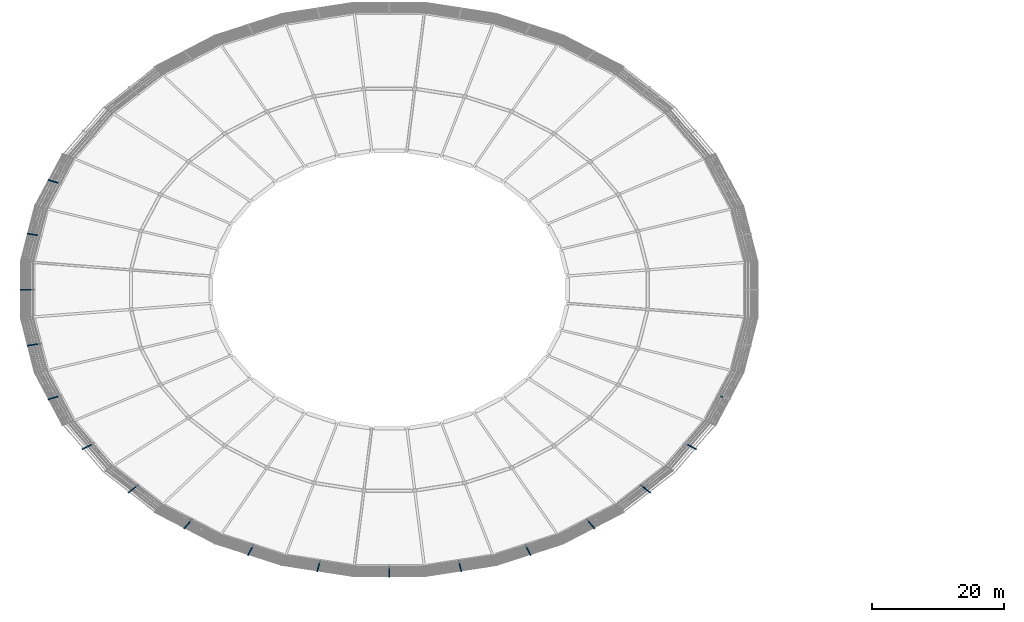
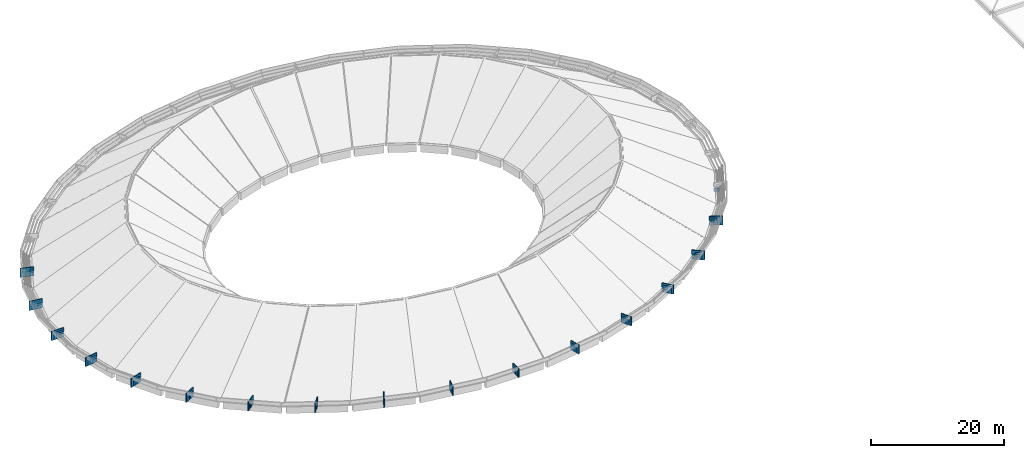
# One storey, part 10 of 15: 65 discrete accessories.
"""IFC4 building model written with IfcOpenShell, lengths in metres."""

import ifcopenshell
import ifcopenshell.guid

model = None  # the IFC model being written
_history = None  # IfcOwnerHistory: only IFC2X3 demands one
_inside = {}  # id of a spatial element -> (the spatial element, [elements in it])
_under = {}  # id of a project, library or spatial element -> (it, [spatial elements below it])
_declared = {}  # id of a project -> (the project, [libraries it declares])
_typed = {}  # id of a type object -> (the type object, [elements of that type])
_made_of = {}  # id of a material, layer set ... -> (it, [elements and type objects made of it])


def new_model(schema):
    """Start an empty IFC model of exactly this schema.

    Asked for "IFC4X3", IfcOpenShell would pick the latest addendum, in which some entities
    have other attributes; the version numbers below select the first issue.
    IFC2X3 requires an IfcOwnerHistory on every rooted entity: one is made here for all.
    """
    global model, _history
    if schema == "IFC4X3":
        model = ifcopenshell.file(schema_version=(4, 3, 0, 0))
    else:
        model = ifcopenshell.file(schema=schema)
    _inside.clear()
    _under.clear()
    _declared.clear()
    _typed.clear()
    _made_of.clear()
    _history = None
    if model.schema == "IFC2X3":
        org = make("IfcOrganization", Name="unknown")
        user = make(
            "IfcPersonAndOrganization",
            ThePerson=make("IfcPerson", FamilyName="unknown"),
            TheOrganization=org,
        )
        app = make(
            "IfcApplication",
            ApplicationDeveloper=org,
            Version="unknown",
            ApplicationFullName="unknown",
            ApplicationIdentifier="unknown",
        )
        _history = make(
            "IfcOwnerHistory",
            OwningUser=user,
            OwningApplication=app,
            ChangeAction="ADDED",
            CreationDate=0,
        )
    return model


def make(cls, **values):
    """One entity of the class cls with the attributes given. An attribute that is None is left unset."""
    return model.create_entity(
        cls, **{name: value for name, value in values.items() if value is not None}
    )


def rooted(cls, **values):
    """An entity with a GlobalId (a new one), such as an element, a storey or a relation."""
    return make(cls, GlobalId=ifcopenshell.guid.new(), OwnerHistory=_history, **values)


def si_unit(unit_type, name, prefix=None):
    """IfcSIUnit, for example si_unit("LENGTHUNIT", "METRE", prefix="MILLI")."""
    return make("IfcSIUnit", UnitType=unit_type, Prefix=prefix, Name=name)


def assignment(units):
    """IfcUnitAssignment: the units of a project."""
    return None if units is None else make("IfcUnitAssignment", Units=units)


def point(xyz):
    """IfcCartesianPoint."""
    return None if xyz is None else make("IfcCartesianPoint", Coordinates=xyz)


def direction(xyz):
    """IfcDirection."""
    return None if xyz is None else make("IfcDirection", DirectionRatios=xyz)


def frame(location, z_axis=None, x_axis=None):
    """IfcAxis2Placement3D, a coordinate frame: its origin and axes. An axis left out is left unset."""
    return make(
        "IfcAxis2Placement3D",
        Location=point(location),
        Axis=direction(z_axis),
        RefDirection=direction(x_axis),
    )


def frame_2d(location, x_axis=None):
    """IfcAxis2Placement2D, a coordinate frame in the plane: its origin and x axis."""
    return make(
        "IfcAxis2Placement2D", Location=point(location), RefDirection=direction(x_axis)
    )


def origin():
    """The frame at (0, 0, 0) with its axes left unset."""
    return frame((0.0, 0.0, 0.0))


def origin_2d():
    """The frame at (0, 0) in the plane with its x axis left unset."""
    return frame_2d((0.0, 0.0))


def place(relative_to, where):
    """IfcLocalPlacement: puts the frame where relative to a parent placement (None: the world)."""
    return make(
        "IfcLocalPlacement", PlacementRelTo=relative_to, RelativePlacement=where
    )


def context(
    kind, dimensions, precision=None, world=None, true_north=None, identifier=None
):
    """IfcGeometricRepresentationContext, for example the 3D "Model" context."""
    return make(
        "IfcGeometricRepresentationContext",
        ContextIdentifier=identifier,
        ContextType=kind,
        CoordinateSpaceDimension=dimensions,
        Precision=precision,
        WorldCoordinateSystem=world,
        TrueNorth=true_north,
    )


def subcontext(parent, identifier, kind, view, scale=None):
    """IfcGeometricRepresentationSubContext, for example "Body" below "Model"."""
    return make(
        "IfcGeometricRepresentationSubContext",
        ContextIdentifier=identifier,
        ContextType=kind,
        ParentContext=parent,
        TargetScale=scale,
        TargetView=view,
    )


def project(units=None, contexts=None):
    """IfcProject with its units and contexts."""
    return rooted(
        "IfcProject",
        Name="project",
        RepresentationContexts=contexts,
        UnitsInContext=assignment(units),
    )


def spatial(cls, under=None, at=None, **own):
    """A site, building, storey or space (cls), placed at a placement, below another one or the project."""
    s = rooted(cls, ObjectPlacement=at, **own)
    if under is not None:
        _under.setdefault(under.id(), (under, []))[1].append(s)
    return s


def profile(cls, at=None, kind="AREA", **sizes):
    """A parametric profile (cls). Its sizes go by their IFC names, for example OverallWidth=200.0."""
    return make(cls, ProfileType=kind, Position=at, **sizes)


def rectangle(**sizes):
    """IfcRectangleProfileDef."""
    return profile("IfcRectangleProfileDef", **sizes)


def extrude(swept, where, along, depth):
    """IfcExtrudedAreaSolid: the profile swept, set in the frame where, extruded along a direction by depth."""
    return make(
        "IfcExtrudedAreaSolid",
        SweptArea=swept,
        Position=where,
        ExtrudedDirection=direction(along),
        Depth=depth,
    )


def shape(context_of_items, identifier, shape_type, items):
    """IfcShapeRepresentation: the items that make up one representation, for example the "Body"."""
    return make(
        "IfcShapeRepresentation",
        ContextOfItems=context_of_items,
        RepresentationIdentifier=identifier,
        RepresentationType=shape_type,
        Items=items,
    )


def material(Name=None, Category=None):
    """IfcMaterial."""
    return make("IfcMaterial", Name=Name, Category=Category)


def made_of(thing, what):
    """Note that an element or type object is made of a material, layer set ...; save() writes the relation."""
    if what is not None:
        _made_of.setdefault(what.id(), (what, []))[1].append(thing)
    return thing


def type_object(cls, material=None, **own):
    """A type object (cls), such as IfcWallType, which elements share."""
    return made_of(rooted(cls, **own), material)


def element(
    cls,
    number,
    at=None,
    inside=None,
    cuts=None,
    type_object=None,
    material=None,
    context=None,
    identifier="Body",
    shape_type=None,
    held_by="IfcProductDefinitionShape",
    body=None,
    shapes=None,
    **own,
):
    """One element of the class cls, such as IfcWall. Its Tag is "e" and its number.

    at: its placement. inside: the storey or other place that contains it. cuts: it is an
    opening in that element (IfcRelVoidsElement). A single representation is given by context,
    identifier, shape_type and body (its items); several are given by shapes. held_by: the class
    of the entity that holds the representations. save() writes the other relations.
    """
    e = rooted(cls, Tag="e%d" % number, ObjectPlacement=at, **own)
    if body is not None:
        shapes = [shape(context, identifier, shape_type, body)]
    if shapes is not None:
        e.Representation = make(held_by, Representations=shapes)
    if inside is not None:
        _inside.setdefault(inside.id(), (inside, []))[1].append(e)
    if cuts is not None:
        rooted(
            "IfcRelVoidsElement", RelatingBuildingElement=cuts, RelatedOpeningElement=e
        )
    if type_object is not None:
        _typed.setdefault(type_object.id(), (type_object, []))[1].append(e)
    return made_of(e, material)


def aggregate(whole, parts):
    """IfcRelAggregates: a whole, such as a stair, and the parts it consists of."""
    return rooted("IfcRelAggregates", RelatingObject=whole, RelatedObjects=parts)


def save(model, path):
    """Write the relations noted so far, then the file.

    IfcRelAggregates (storeys below a building ...), IfcRelContainedInSpatialStructure (elements
    in a storey), IfcRelDefinesByType, IfcRelAssociatesMaterial and IfcRelDeclares: one each for
    every whole, place, type object, material and project.
    """
    for whole, parts in _under.values():
        aggregate(whole, parts)
    for where, things in _inside.values():
        rooted(
            "IfcRelContainedInSpatialStructure",
            RelatedElements=things,
            RelatingStructure=where,
        )
    for kind, things in _typed.values():
        rooted("IfcRelDefinesByType", RelatedObjects=things, RelatingType=kind)
    for what, things in _made_of.values():
        rooted("IfcRelAssociatesMaterial", RelatedObjects=things, RelatingMaterial=what)
    for by, libraries in _declared.values():
        rooted("IfcRelDeclares", RelatingContext=by, RelatedDefinitions=libraries)
    model.write(path)


model = new_model("IFC4")

# Units and contexts
model_context = context("Model", 3, precision=1e-05, world=origin(), true_north=direction((0.0, 1.0)))
body_context = subcontext(model_context, "Body", "Model", "MODEL_VIEW")
ifc_project = project(units=[si_unit("LENGTHUNIT", "METRE"), si_unit("AREAUNIT", "SQUARE_METRE"), si_unit("VOLUMEUNIT", "CUBIC_METRE"), si_unit("PLANEANGLEUNIT", "RADIAN"), si_unit("MASSUNIT", "GRAM", prefix="KILO")], contexts=[model_context])

# Site, building, storey
site_placement = place(None, origin())
site = spatial("IfcSite", under=ifc_project, at=site_placement, CompositionType="ELEMENT")
building_placement = place(site_placement, origin())
building = spatial("IfcBuilding", under=site, at=building_placement, Name="Corvandel Quay Wholesale Market", CompositionType="ELEMENT")
storey_placement = place(building_placement, frame((0.0, 0.0, 19.199951171875)))
storey = spatial("IfcBuildingStorey", under=building, at=storey_placement, Name="RF", CompositionType="ELEMENT", Elevation=19.199951171875)

# Discrete accessories
ifc_material = material(Name="Austenitic stainless steel Grade 316", Category="steel")
discrete_accessory_type = type_object("IfcDiscreteAccessoryType", Name="Stainless Solar Fin Fixing Bracket BRK01", PredefinedType="USERDEFINED", material=ifc_material)
discrete_accessory_1_placement = place(storey_placement, frame((63.89208984375, 58.14306640625, -4.85009765625), z_axis=(0.0, 0.0, 1.0), x_axis=(-0.951487058208, 0.307688768178, 0.0)))
element("IfcDiscreteAccessory", 1, at=discrete_accessory_1_placement, inside=storey, type_object=discrete_accessory_type, Name="Fascia Outrigger Bracket 0303", ObjectType="BRACKET", PredefinedType="USERDEFINED", context=body_context, shape_type="SweptSolid", body=[
    extrude(rectangle(XDim=0.85888671875, YDim=0.159912109375, at=origin_2d()), origin(), (0.0, 0.0, 1.0), 0.6201171875),
])
discrete_accessory_2_placement = place(storey_placement, frame((60.805908203125, 50.229736328125, -4.85009765625), z_axis=(0.0, 0.0, 1.0), x_axis=(-0.98825506746, 0.152813355565, 0.0)))
element("IfcDiscreteAccessory", 2, at=discrete_accessory_2_placement, inside=storey, type_object=discrete_accessory_type, Name="Fascia Outrigger Bracket 0304", ObjectType="BRACKET", PredefinedType="USERDEFINED", context=body_context, shape_type="SweptSolid", body=[
    extrude(rectangle(XDim=0.868896484375, YDim=0.159912109375, at=origin_2d()), origin(), (0.0, 0.0, 1.0), 0.6201171875),
])
discrete_accessory_3_placement = place(storey_placement, frame((59.763916015625, 42.0, -4.85009765625), z_axis=(0.0, 0.0, 1.0), x_axis=(1.0, 0.0, 0.0)))
element("IfcDiscreteAccessory", 3, at=discrete_accessory_3_placement, inside=storey, type_object=discrete_accessory_type, Name="Fascia Outrigger Bracket 0305", ObjectType="BRACKET", PredefinedType="USERDEFINED", context=body_context, shape_type="SweptSolid", body=[
    extrude(rectangle(XDim=0.8720703125, YDim=0.159912109375, at=origin_2d()), origin(), (0.0, 0.0, 1.0), 0.6201171875),
])
discrete_accessory_4_placement = place(storey_placement, frame((60.805908203125, 33.770263671875, -4.85009765625), z_axis=(0.0, 0.0, 1.0), x_axis=(0.98825506746, 0.152813355565, 0.0)))
element("IfcDiscreteAccessory", 4, at=discrete_accessory_4_placement, inside=storey, type_object=discrete_accessory_type, Name="Fascia Outrigger Bracket 0306", ObjectType="BRACKET", PredefinedType="USERDEFINED", context=body_context, shape_type="SweptSolid", body=[
    extrude(rectangle(XDim=0.868896484375, YDim=0.159912109375, at=origin_2d()), origin(), (0.0, 0.0, 1.0), 0.6201171875),
])
discrete_accessory_5_placement = place(storey_placement, frame((63.89208984375, 25.85693359375, -4.85009765625), z_axis=(0.0, 0.0, 1.0), x_axis=(0.951487058208, 0.307688768178, 0.0)))
element("IfcDiscreteAccessory", 5, at=discrete_accessory_5_placement, inside=storey, type_object=discrete_accessory_type, Name="Fascia Outrigger Bracket 0307", ObjectType="BRACKET", PredefinedType="USERDEFINED", context=body_context, shape_type="SweptSolid", body=[
    extrude(rectangle(XDim=0.85888671875, YDim=0.159912109375, at=origin_2d()), origin(), (0.0, 0.0, 1.0), 0.6201171875),
])
discrete_accessory_6_placement = place(storey_placement, frame((68.9033203125, 18.5634765625, -4.85009765625), z_axis=(0.0, 0.0, 1.0), x_axis=(0.886365246062, 0.462986663495, 0.0)))
element("IfcDiscreteAccessory", 6, at=discrete_accessory_6_placement, inside=storey, type_object=discrete_accessory_type, Name="Fascia Outrigger Bracket 0308", ObjectType="BRACKET", PredefinedType="USERDEFINED", context=body_context, shape_type="SweptSolid", body=[
    extrude(rectangle(XDim=0.844970703125, YDim=0.159912109375, at=origin_2d()), origin(), (0.0, 0.0, 1.0), 0.6201171875),
])
discrete_accessory_7_placement = place(storey_placement, frame((75.647705078125, 12.170166015625, -4.85009765625), z_axis=(0.0, 0.0, 1.0), x_axis=(0.788333005168, 0.615248789485, 0.0)))
element("IfcDiscreteAccessory", 7, at=discrete_accessory_7_placement, inside=storey, type_object=discrete_accessory_type, Name="Fascia Outrigger Bracket 0309", ObjectType="BRACKET", PredefinedType="USERDEFINED", context=body_context, shape_type="SweptSolid", body=[
    extrude(rectangle(XDim=0.826904296875, YDim=0.159912109375, at=origin_2d()), origin(), (0.0, 0.0, 1.0), 0.6201171875),
])
discrete_accessory_8_placement = place(storey_placement, frame((83.8662109375, 6.923095703125, -4.85009765625), z_axis=(0.0, 0.0, 1.0), x_axis=(0.650641689512, 0.759384877298, 0.0)))
element("IfcDiscreteAccessory", 8, at=discrete_accessory_8_placement, inside=storey, type_object=discrete_accessory_type, Name="Fascia Outrigger Bracket 0310", ObjectType="BRACKET", PredefinedType="USERDEFINED", context=body_context, shape_type="SweptSolid", body=[
    extrude(rectangle(XDim=0.80810546875, YDim=0.159912109375, at=origin_2d()), origin(), (0.0, 0.0, 1.0), 0.6201171875),
])
discrete_accessory_9_placement = place(storey_placement, frame((93.242919921875, 3.02392578125, -4.85009765625), z_axis=(0.0, 0.0, 1.0), x_axis=(0.46931745221, 0.883029517656, 0.0)))
element("IfcDiscreteAccessory", 9, at=discrete_accessory_9_placement, inside=storey, type_object=discrete_accessory_type, Name="Fascia Outrigger Bracket 0311", ObjectType="BRACKET", PredefinedType="USERDEFINED", context=body_context, shape_type="SweptSolid", body=[
    extrude(rectangle(XDim=0.7919921875, YDim=0.159912109375, at=origin_2d()), origin(), (0.0, 0.0, 1.0), 0.6201171875),
])
discrete_accessory_10_placement = place(storey_placement, frame((103.418212890625, 0.622802734375, -4.85009765625), z_axis=(0.0, 0.0, 1.0), x_axis=(0.246999012723, 0.969015731407, 0.0)))
element("IfcDiscreteAccessory", 10, at=discrete_accessory_10_placement, inside=storey, type_object=discrete_accessory_type, Name="Fascia Outrigger Bracket 0312", ObjectType="BRACKET", PredefinedType="USERDEFINED", context=body_context, shape_type="SweptSolid", body=[
    extrude(rectangle(XDim=0.780029296875, YDim=0.159912109375, at=origin_2d()), origin(), (0.0, 0.0, 1.0), 0.6201171875),
])
discrete_accessory_11_placement = place(storey_placement, frame((114.0, -0.18798828125, -4.85009765625), z_axis=(0.0, 0.0, 1.0), x_axis=(0.0, 1.0, 0.0)))
element("IfcDiscreteAccessory", 11, at=discrete_accessory_11_placement, inside=storey, type_object=discrete_accessory_type, Name="Fascia Outrigger Bracket 0313", ObjectType="BRACKET", PredefinedType="USERDEFINED", context=body_context, shape_type="SweptSolid", body=[
    extrude(rectangle(XDim=0.77587890625, YDim=0.159912109375, at=origin_2d()), origin(), (0.0, 0.0, 1.0), 0.6201171875),
])
discrete_accessory_12_placement = place(storey_placement, frame((124.581787109375, 0.622802734375, -4.85009765625), z_axis=(0.0, 0.0, 1.0), x_axis=(-0.246999012723, 0.969015731407, 0.0)))
element("IfcDiscreteAccessory", 12, at=discrete_accessory_12_placement, inside=storey, type_object=discrete_accessory_type, Name="Fascia Outrigger Bracket 0314", ObjectType="BRACKET", PredefinedType="USERDEFINED", context=body_context, shape_type="SweptSolid", body=[
    extrude(rectangle(XDim=0.780029296875, YDim=0.159912109375, at=origin_2d()), origin(), (0.0, 0.0, 1.0), 0.6201171875),
])
discrete_accessory_13_placement = place(storey_placement, frame((134.757080078125, 3.02392578125, -4.85009765625), z_axis=(0.0, 0.0, 1.0), x_axis=(-0.46931745221, 0.883029517656, 0.0)))
element("IfcDiscreteAccessory", 13, at=discrete_accessory_13_placement, inside=storey, type_object=discrete_accessory_type, Name="Fascia Outrigger Bracket 0315", ObjectType="BRACKET", PredefinedType="USERDEFINED", context=body_context, shape_type="SweptSolid", body=[
    extrude(rectangle(XDim=0.7919921875, YDim=0.159912109375, at=origin_2d()), origin(), (0.0, 0.0, 1.0), 0.6201171875),
])
discrete_accessory_14_placement = place(storey_placement, frame((144.1337890625, 6.923095703125, -4.85009765625), z_axis=(0.0, 0.0, 1.0), x_axis=(-0.650641689512, 0.759384877298, 0.0)))
element("IfcDiscreteAccessory", 14, at=discrete_accessory_14_placement, inside=storey, type_object=discrete_accessory_type, Name="Fascia Outrigger Bracket 0316", ObjectType="BRACKET", PredefinedType="USERDEFINED", context=body_context, shape_type="SweptSolid", body=[
    extrude(rectangle(XDim=0.80810546875, YDim=0.159912109375, at=origin_2d()), origin(), (0.0, 0.0, 1.0), 0.6201171875),
])
discrete_accessory_15_placement = place(storey_placement, frame((152.352294921875, 12.170166015625, -4.85009765625), z_axis=(0.0, 0.0, 1.0), x_axis=(-0.788333005168, 0.615248789485, 0.0)))
element("IfcDiscreteAccessory", 15, at=discrete_accessory_15_placement, inside=storey, type_object=discrete_accessory_type, Name="Fascia Outrigger Bracket 0317", ObjectType="BRACKET", PredefinedType="USERDEFINED", context=body_context, shape_type="SweptSolid", body=[
    extrude(rectangle(XDim=0.826904296875, YDim=0.159912109375, at=origin_2d()), origin(), (0.0, 0.0, 1.0), 0.6201171875),
])
discrete_accessory_16_placement = place(storey_placement, frame((159.0966796875, 18.5634765625, -4.85009765625), z_axis=(0.0, 0.0, 1.0), x_axis=(-0.886365246062, 0.462986663495, 0.0)))
element("IfcDiscreteAccessory", 16, at=discrete_accessory_16_placement, inside=storey, type_object=discrete_accessory_type, Name="Fascia Outrigger Bracket 0318", ObjectType="BRACKET", PredefinedType="USERDEFINED", context=body_context, shape_type="SweptSolid", body=[
    extrude(rectangle(XDim=0.844970703125, YDim=0.159912109375, at=origin_2d()), origin(), (0.0, 0.0, 1.0), 0.6201171875),
])
discrete_accessory_17_placement = place(storey_placement, frame((164.10791015625, 25.85693359375, -4.85009765625), z_axis=(0.0, 0.0, 1.0), x_axis=(-0.951487058208, 0.307688768178, 0.0)))
element("IfcDiscreteAccessory", 17, at=discrete_accessory_17_placement, inside=storey, type_object=discrete_accessory_type, Name="Fascia Outrigger Bracket 0319", ObjectType="BRACKET", PredefinedType="USERDEFINED", context=body_context, shape_type="SweptSolid", body=[
    extrude(rectangle(XDim=0.85888671875, YDim=0.159912109375, at=origin_2d()), origin(), (0.0, 0.0, 1.0), 0.6201171875),
])
discrete_accessory_18_placement = place(storey_placement, frame((63.692138671875, 58.20751953125, -4.849853515625), z_axis=(0.0, 0.0, 1.0), x_axis=(-0.951755204978, 0.306858322026, 0.0)))
element("IfcDiscreteAccessory", 18, at=discrete_accessory_18_placement, inside=storey, type_object=discrete_accessory_type, Name="Fascia Outrigger Bracket 0335", ObjectType="BRACKET", PredefinedType="USERDEFINED", context=body_context, shape_type="SweptSolid", body=[
    extrude(rectangle(XDim=1.279052734375, YDim=0.159912109375, at=origin_2d()), origin(), (0.0, 0.0, 1.0), 0.9599609375),
])
discrete_accessory_19_placement = place(storey_placement, frame((60.59375, 50.2626953125, -4.849853515625), z_axis=(0.0, 0.0, 1.0), x_axis=(-0.98825506746, 0.152813355565, 0.0)))
element("IfcDiscreteAccessory", 19, at=discrete_accessory_19_placement, inside=storey, type_object=discrete_accessory_type, Name="Fascia Outrigger Bracket 0336", ObjectType="BRACKET", PredefinedType="USERDEFINED", context=body_context, shape_type="SweptSolid", body=[
    extrude(rectangle(XDim=1.298095703125, YDim=0.159912109375, at=origin_2d()), origin(), (0.0, 0.0, 1.0), 0.9599609375),
])
discrete_accessory_20_placement = place(storey_placement, frame((59.548095703125, 42.0, -4.849853515625), z_axis=(0.0, 0.0, 1.0), x_axis=(1.0, 0.0, 0.0)))
element("IfcDiscreteAccessory", 20, at=discrete_accessory_20_placement, inside=storey, type_object=discrete_accessory_type, Name="Fascia Outrigger Bracket 0337", ObjectType="BRACKET", PredefinedType="USERDEFINED", context=body_context, shape_type="SweptSolid", body=[
    extrude(rectangle(XDim=1.303955078125, YDim=0.159912109375, at=origin_2d()), origin(), (0.0, 0.0, 1.0), 0.9599609375),
])
discrete_accessory_21_placement = place(storey_placement, frame((60.59375, 33.7373046875, -4.849853515625), z_axis=(0.0, 0.0, 1.0), x_axis=(0.98825506746, 0.152813355565, 0.0)))
element("IfcDiscreteAccessory", 21, at=discrete_accessory_21_placement, inside=storey, type_object=discrete_accessory_type, Name="Fascia Outrigger Bracket 0338", ObjectType="BRACKET", PredefinedType="USERDEFINED", context=body_context, shape_type="SweptSolid", body=[
    extrude(rectangle(XDim=1.298095703125, YDim=0.159912109375, at=origin_2d()), origin(), (0.0, 0.0, 1.0), 0.9599609375),
])
discrete_accessory_22_placement = place(storey_placement, frame((63.692138671875, 25.79248046875, -4.849853515625), z_axis=(0.0, 0.0, 1.0), x_axis=(0.951755204978, 0.306858322026, 0.0)))
element("IfcDiscreteAccessory", 22, at=discrete_accessory_22_placement, inside=storey, type_object=discrete_accessory_type, Name="Fascia Outrigger Bracket 0339", ObjectType="BRACKET", PredefinedType="USERDEFINED", context=body_context, shape_type="SweptSolid", body=[
    extrude(rectangle(XDim=1.279052734375, YDim=0.159912109375, at=origin_2d()), origin(), (0.0, 0.0, 1.0), 0.9599609375),
])
discrete_accessory_23_placement = place(storey_placement, frame((68.723388671875, 18.47021484375, -4.849853515625), z_axis=(0.0, 0.0, 1.0), x_axis=(0.887010833178, 0.461748613235, 0.0)))
element("IfcDiscreteAccessory", 23, at=discrete_accessory_23_placement, inside=storey, type_object=discrete_accessory_type, Name="Fascia Outrigger Bracket 0340", ObjectType="BRACKET", PredefinedType="USERDEFINED", context=body_context, shape_type="SweptSolid", body=[
    extrude(rectangle(XDim=1.25, YDim=0.159912109375, at=origin_2d()), origin(), (0.0, 0.0, 1.0), 0.9599609375),
])
discrete_accessory_24_placement = place(storey_placement, frame((75.494873046875, 12.051513671875, -4.849853515625), z_axis=(0.0, 0.0, 1.0), x_axis=(0.789191285809, 0.61414746959, 0.0)))
element("IfcDiscreteAccessory", 24, at=discrete_accessory_24_placement, inside=storey, type_object=discrete_accessory_type, Name="Fascia Outrigger Bracket 0341", ObjectType="BRACKET", PredefinedType="USERDEFINED", context=body_context, shape_type="SweptSolid", body=[
    extrude(rectangle(XDim=1.214111328125, YDim=0.159912109375, at=origin_2d()), origin(), (0.0, 0.0, 1.0), 0.9599609375),
])
discrete_accessory_25_placement = place(storey_placement, frame((83.74609375, 6.78369140625, -4.849853515625), z_axis=(0.0, 0.0, 1.0), x_axis=(0.651833725301, 0.758361915289, 0.0)))
element("IfcDiscreteAccessory", 25, at=discrete_accessory_25_placement, inside=storey, type_object=discrete_accessory_type, Name="Fascia Outrigger Bracket 0342", ObjectType="BRACKET", PredefinedType="USERDEFINED", context=body_context, shape_type="SweptSolid", body=[
    extrude(rectangle(XDim=1.176025390625, YDim=0.159912109375, at=origin_2d()), origin(), (0.0, 0.0, 1.0), 0.9599609375),
])
discrete_accessory_26_placement = place(storey_placement, frame((93.160400390625, 2.869140625, -4.849853515625), z_axis=(0.0, 0.0, 1.0), x_axis=(0.470087862033, 0.882619624736, 0.0)))
element("IfcDiscreteAccessory", 26, at=discrete_accessory_26_placement, inside=storey, type_object=discrete_accessory_type, Name="Fascia Outrigger Bracket 0343", ObjectType="BRACKET", PredefinedType="USERDEFINED", context=body_context, shape_type="SweptSolid", body=[
    extrude(rectangle(XDim=1.14306640625, YDim=0.159912109375, at=origin_2d()), origin(), (0.0, 0.0, 1.0), 0.9599609375),
])
discrete_accessory_27_placement = place(storey_placement, frame((103.375732421875, 0.458251953125, -4.849853515625), z_axis=(0.0, 0.0, 1.0), x_axis=(0.247675453076, 0.968843057437, 0.0)))
element("IfcDiscreteAccessory", 27, at=discrete_accessory_27_placement, inside=storey, type_object=discrete_accessory_type, Name="Fascia Outrigger Bracket 0344", ObjectType="BRACKET", PredefinedType="USERDEFINED", context=body_context, shape_type="SweptSolid", body=[
    extrude(rectangle(XDim=1.1201171875, YDim=0.159912109375, at=origin_2d()), origin(), (0.0, 0.0, 1.0), 0.9599609375),
])
discrete_accessory_28_placement = place(storey_placement, frame((114.0, -0.35595703125, -4.849853515625), z_axis=(0.0, 0.0, 1.0), x_axis=(0.0, 1.0, 0.0)))
element("IfcDiscreteAccessory", 28, at=discrete_accessory_28_placement, inside=storey, type_object=discrete_accessory_type, Name="Fascia Outrigger Bracket 0345", ObjectType="BRACKET", PredefinedType="USERDEFINED", context=body_context, shape_type="SweptSolid", body=[
    extrude(rectangle(XDim=1.112060546875, YDim=0.159912109375, at=origin_2d()), origin(), (0.0, 0.0, 1.0), 0.9599609375),
])
discrete_accessory_29_placement = place(storey_placement, frame((124.624267578125, 0.458251953125, -4.849853515625), z_axis=(0.0, 0.0, 1.0), x_axis=(-0.247675453076, 0.968843057437, 0.0)))
element("IfcDiscreteAccessory", 29, at=discrete_accessory_29_placement, inside=storey, type_object=discrete_accessory_type, Name="Fascia Outrigger Bracket 0346", ObjectType="BRACKET", PredefinedType="USERDEFINED", context=body_context, shape_type="SweptSolid", body=[
    extrude(rectangle(XDim=1.1201171875, YDim=0.159912109375, at=origin_2d()), origin(), (0.0, 0.0, 1.0), 0.9599609375),
])
discrete_accessory_30_placement = place(storey_placement, frame((134.839599609375, 2.869140625, -4.849853515625), z_axis=(0.0, 0.0, 1.0), x_axis=(-0.470087862033, 0.882619624736, 0.0)))
element("IfcDiscreteAccessory", 30, at=discrete_accessory_30_placement, inside=storey, type_object=discrete_accessory_type, Name="Fascia Outrigger Bracket 0347", ObjectType="BRACKET", PredefinedType="USERDEFINED", context=body_context, shape_type="SweptSolid", body=[
    extrude(rectangle(XDim=1.14306640625, YDim=0.159912109375, at=origin_2d()), origin(), (0.0, 0.0, 1.0), 0.9599609375),
])
discrete_accessory_31_placement = place(storey_placement, frame((144.25390625, 6.78369140625, -4.849853515625), z_axis=(0.0, 0.0, 1.0), x_axis=(-0.651833725301, 0.758361915289, 0.0)))
element("IfcDiscreteAccessory", 31, at=discrete_accessory_31_placement, inside=storey, type_object=discrete_accessory_type, Name="Fascia Outrigger Bracket 0348", ObjectType="BRACKET", PredefinedType="USERDEFINED", context=body_context, shape_type="SweptSolid", body=[
    extrude(rectangle(XDim=1.176025390625, YDim=0.159912109375, at=origin_2d()), origin(), (0.0, 0.0, 1.0), 0.9599609375),
])
discrete_accessory_32_placement = place(storey_placement, frame((152.505126953125, 12.051513671875, -4.849853515625), z_axis=(0.0, 0.0, 1.0), x_axis=(-0.789191285809, 0.61414746959, 0.0)))
element("IfcDiscreteAccessory", 32, at=discrete_accessory_32_placement, inside=storey, type_object=discrete_accessory_type, Name="Fascia Outrigger Bracket 0349", ObjectType="BRACKET", PredefinedType="USERDEFINED", context=body_context, shape_type="SweptSolid", body=[
    extrude(rectangle(XDim=1.214111328125, YDim=0.159912109375, at=origin_2d()), origin(), (0.0, 0.0, 1.0), 0.9599609375),
])
discrete_accessory_33_placement = place(storey_placement, frame((159.276611328125, 18.47021484375, -4.849853515625), z_axis=(0.0, 0.0, 1.0), x_axis=(-0.887010833178, 0.461748613235, 0.0)))
element("IfcDiscreteAccessory", 33, at=discrete_accessory_33_placement, inside=storey, type_object=discrete_accessory_type, Name="Fascia Outrigger Bracket 0350", ObjectType="BRACKET", PredefinedType="USERDEFINED", context=body_context, shape_type="SweptSolid", body=[
    extrude(rectangle(XDim=1.25, YDim=0.159912109375, at=origin_2d()), origin(), (0.0, 0.0, 1.0), 0.9599609375),
])
discrete_accessory_34_placement = place(storey_placement, frame((63.492919921875, 58.271484375, -4.85009765625), z_axis=(0.0, 0.0, 1.0), x_axis=(-0.951755204978, 0.306858322026, 0.0)))
element("IfcDiscreteAccessory", 34, at=discrete_accessory_34_placement, inside=storey, type_object=discrete_accessory_type, Name="Fascia Outrigger Bracket 0367", ObjectType="BRACKET", PredefinedType="USERDEFINED", context=body_context, shape_type="SweptSolid", body=[
    extrude(rectangle(XDim=1.697998046875, YDim=0.159912109375, at=origin_2d()), origin(), (0.0, 0.0, 1.0), 1.300048828125),
])
discrete_accessory_35_placement = place(storey_placement, frame((60.38232421875, 50.29541015625, -4.85009765625), z_axis=(0.0, 0.0, 1.0), x_axis=(-0.98825506746, 0.152813355565, 0.0)))
element("IfcDiscreteAccessory", 35, at=discrete_accessory_35_placement, inside=storey, type_object=discrete_accessory_type, Name="Fascia Outrigger Bracket 0368", ObjectType="BRACKET", PredefinedType="USERDEFINED", context=body_context, shape_type="SweptSolid", body=[
    extrude(rectangle(XDim=1.72607421875, YDim=0.159912109375, at=origin_2d()), origin(), (0.0, 0.0, 1.0), 1.300048828125),
])
discrete_accessory_36_placement = place(storey_placement, frame((59.33203125, 42.0, -4.85009765625), z_axis=(0.0, 0.0, 1.0), x_axis=(1.0, 0.0, 0.0)))
element("IfcDiscreteAccessory", 36, at=discrete_accessory_36_placement, inside=storey, type_object=discrete_accessory_type, Name="Fascia Outrigger Bracket 0369", ObjectType="BRACKET", PredefinedType="USERDEFINED", context=body_context, shape_type="SweptSolid", body=[
    extrude(rectangle(XDim=1.736083984375, YDim=0.159912109375, at=origin_2d()), origin(), (0.0, 0.0, 1.0), 1.300048828125),
])
discrete_accessory_37_placement = place(storey_placement, frame((60.38232421875, 33.70458984375, -4.85009765625), z_axis=(0.0, 0.0, 1.0), x_axis=(0.98825506746, 0.152813355565, 0.0)))
element("IfcDiscreteAccessory", 37, at=discrete_accessory_37_placement, inside=storey, type_object=discrete_accessory_type, Name="Fascia Outrigger Bracket 0370", ObjectType="BRACKET", PredefinedType="USERDEFINED", context=body_context, shape_type="SweptSolid", body=[
    extrude(rectangle(XDim=1.72607421875, YDim=0.159912109375, at=origin_2d()), origin(), (0.0, 0.0, 1.0), 1.300048828125),
])
discrete_accessory_38_placement = place(storey_placement, frame((63.492919921875, 25.728515625, -4.85009765625), z_axis=(0.0, 0.0, 1.0), x_axis=(0.951755204978, 0.306858322026, 0.0)))
element("IfcDiscreteAccessory", 38, at=discrete_accessory_38_placement, inside=storey, type_object=discrete_accessory_type, Name="Fascia Outrigger Bracket 0371", ObjectType="BRACKET", PredefinedType="USERDEFINED", context=body_context, shape_type="SweptSolid", body=[
    extrude(rectangle(XDim=1.697998046875, YDim=0.159912109375, at=origin_2d()), origin(), (0.0, 0.0, 1.0), 1.300048828125),
])
discrete_accessory_39_placement = place(storey_placement, frame((68.543701171875, 18.376953125, -4.85009765625), z_axis=(0.0, 0.0, 1.0), x_axis=(0.887171959808, 0.461438959919, 0.0)))
element("IfcDiscreteAccessory", 39, at=discrete_accessory_39_placement, inside=storey, type_object=discrete_accessory_type, Name="Fascia Outrigger Bracket 0372", ObjectType="BRACKET", PredefinedType="USERDEFINED", context=body_context, shape_type="SweptSolid", body=[
    extrude(rectangle(XDim=1.655029296875, YDim=0.159912109375, at=origin_2d()), origin(), (0.0, 0.0, 1.0), 1.300048828125),
])
discrete_accessory_40_placement = place(storey_placement, frame((75.34228515625, 11.93310546875, -4.85009765625), z_axis=(0.0, 0.0, 1.0), x_axis=(0.789298462742, 0.614009720373, 0.0)))
element("IfcDiscreteAccessory", 40, at=discrete_accessory_40_placement, inside=storey, type_object=discrete_accessory_type, Name="Fascia Outrigger Bracket 0373", ObjectType="BRACKET", PredefinedType="USERDEFINED", context=body_context, shape_type="SweptSolid", body=[
    extrude(rectangle(XDim=1.60009765625, YDim=0.159912109375, at=origin_2d()), origin(), (0.0, 0.0, 1.0), 1.300048828125),
])
discrete_accessory_41_placement = place(storey_placement, frame((83.626220703125, 6.64404296875, -4.85009765625), z_axis=(0.0, 0.0, 1.0), x_axis=(0.65170135625, 0.758475670184, 0.0)))
element("IfcDiscreteAccessory", 41, at=discrete_accessory_41_placement, inside=storey, type_object=discrete_accessory_type, Name="Fascia Outrigger Bracket 0374", ObjectType="BRACKET", PredefinedType="USERDEFINED", context=body_context, shape_type="SweptSolid", body=[
    extrude(rectangle(XDim=1.5439453125, YDim=0.159912109375, at=origin_2d()), origin(), (0.0, 0.0, 1.0), 1.300048828125),
])
discrete_accessory_42_placement = place(storey_placement, frame((93.077880859375, 2.713623046875, -4.85009765625), z_axis=(0.0, 0.0, 1.0), x_axis=(0.46977974103, 0.88278366258, 0.0)))
element("IfcDiscreteAccessory", 42, at=discrete_accessory_42_placement, inside=storey, type_object=discrete_accessory_type, Name="Fascia Outrigger Bracket 0375", ObjectType="BRACKET", PredefinedType="USERDEFINED", context=body_context, shape_type="SweptSolid", body=[
    extrude(rectangle(XDim=1.4951171875, YDim=0.159912109375, at=origin_2d()), origin(), (0.0, 0.0, 1.0), 1.300048828125),
])
discrete_accessory_43_placement = place(storey_placement, frame((103.333740234375, 0.29345703125, -4.85009765625), z_axis=(0.0, 0.0, 1.0), x_axis=(0.247506354292, 0.968886270202, 0.0)))
element("IfcDiscreteAccessory", 43, at=discrete_accessory_43_placement, inside=storey, type_object=discrete_accessory_type, Name="Fascia Outrigger Bracket 0376", ObjectType="BRACKET", PredefinedType="USERDEFINED", context=body_context, shape_type="SweptSolid", body=[
    extrude(rectangle(XDim=1.4599609375, YDim=0.159912109375, at=origin_2d()), origin(), (0.0, 0.0, 1.0), 1.300048828125),
])
discrete_accessory_44_placement = place(storey_placement, frame((114.0, -0.52392578125, -4.85009765625), z_axis=(0.0, 0.0, 1.0), x_axis=(0.0, 1.0, 0.0)))
element("IfcDiscreteAccessory", 44, at=discrete_accessory_44_placement, inside=storey, type_object=discrete_accessory_type, Name="Fascia Outrigger Bracket 0377", ObjectType="BRACKET", PredefinedType="USERDEFINED", context=body_context, shape_type="SweptSolid", body=[
    extrude(rectangle(XDim=1.447998046875, YDim=0.159912109375, at=origin_2d()), origin(), (0.0, 0.0, 1.0), 1.300048828125),
])
discrete_accessory_45_placement = place(storey_placement, frame((124.666259765625, 0.29345703125, -4.85009765625), z_axis=(0.0, 0.0, 1.0), x_axis=(-0.247506354292, 0.968886270202, 0.0)))
element("IfcDiscreteAccessory", 45, at=discrete_accessory_45_placement, inside=storey, type_object=discrete_accessory_type, Name="Fascia Outrigger Bracket 0378", ObjectType="BRACKET", PredefinedType="USERDEFINED", context=body_context, shape_type="SweptSolid", body=[
    extrude(rectangle(XDim=1.4599609375, YDim=0.159912109375, at=origin_2d()), origin(), (0.0, 0.0, 1.0), 1.300048828125),
])
discrete_accessory_46_placement = place(storey_placement, frame((134.922119140625, 2.713623046875, -4.85009765625), z_axis=(0.0, 0.0, 1.0), x_axis=(-0.46977974103, 0.88278366258, 0.0)))
element("IfcDiscreteAccessory", 46, at=discrete_accessory_46_placement, inside=storey, type_object=discrete_accessory_type, Name="Fascia Outrigger Bracket 0379", ObjectType="BRACKET", PredefinedType="USERDEFINED", context=body_context, shape_type="SweptSolid", body=[
    extrude(rectangle(XDim=1.4951171875, YDim=0.159912109375, at=origin_2d()), origin(), (0.0, 0.0, 1.0), 1.300048828125),
])
discrete_accessory_47_placement = place(storey_placement, frame((144.373779296875, 6.64404296875, -4.85009765625), z_axis=(0.0, 0.0, 1.0), x_axis=(-0.65170135625, 0.758475670184, 0.0)))
element("IfcDiscreteAccessory", 47, at=discrete_accessory_47_placement, inside=storey, type_object=discrete_accessory_type, Name="Fascia Outrigger Bracket 0380", ObjectType="BRACKET", PredefinedType="USERDEFINED", context=body_context, shape_type="SweptSolid", body=[
    extrude(rectangle(XDim=1.5439453125, YDim=0.159912109375, at=origin_2d()), origin(), (0.0, 0.0, 1.0), 1.300048828125),
])
discrete_accessory_48_placement = place(storey_placement, frame((152.65771484375, 11.93310546875, -4.85009765625), z_axis=(0.0, 0.0, 1.0), x_axis=(-0.789298462742, 0.614009720373, 0.0)))
element("IfcDiscreteAccessory", 48, at=discrete_accessory_48_placement, inside=storey, type_object=discrete_accessory_type, Name="Fascia Outrigger Bracket 0381", ObjectType="BRACKET", PredefinedType="USERDEFINED", context=body_context, shape_type="SweptSolid", body=[
    extrude(rectangle(XDim=1.60009765625, YDim=0.159912109375, at=origin_2d()), origin(), (0.0, 0.0, 1.0), 1.300048828125),
])
discrete_accessory_49_placement = place(storey_placement, frame((159.456298828125, 18.376953125, -4.85009765625), z_axis=(0.0, 0.0, 1.0), x_axis=(-0.887171959808, 0.461438959919, 0.0)))
element("IfcDiscreteAccessory", 49, at=discrete_accessory_49_placement, inside=storey, type_object=discrete_accessory_type, Name="Fascia Outrigger Bracket 0382", ObjectType="BRACKET", PredefinedType="USERDEFINED", context=body_context, shape_type="SweptSolid", body=[
    extrude(rectangle(XDim=1.655029296875, YDim=0.159912109375, at=origin_2d()), origin(), (0.0, 0.0, 1.0), 1.300048828125),
])
discrete_accessory_50_placement = place(storey_placement, frame((63.29345703125, 58.335693359375, -4.85009765625), z_axis=(0.0, 0.0, 1.0), x_axis=(-0.951808747363, 0.306692204733, 0.0)))
element("IfcDiscreteAccessory", 50, at=discrete_accessory_50_placement, inside=storey, type_object=discrete_accessory_type, Name="Fascia Outrigger Bracket 0399", ObjectType="BRACKET", PredefinedType="USERDEFINED", context=body_context, shape_type="SweptSolid", body=[
    extrude(rectangle(XDim=2.116943359375, YDim=0.159912109375, at=origin_2d()), origin(), (0.0, 0.0, 1.0), 1.639892578125),
])
discrete_accessory_51_placement = place(storey_placement, frame((60.17041015625, 50.328125, -4.85009765625), z_axis=(0.0, 0.0, 1.0), x_axis=(-0.98825506746, 0.152813355565, 0.0)))
element("IfcDiscreteAccessory", 51, at=discrete_accessory_51_placement, inside=storey, type_object=discrete_accessory_type, Name="Fascia Outrigger Bracket 0400", ObjectType="BRACKET", PredefinedType="USERDEFINED", context=body_context, shape_type="SweptSolid", body=[
    extrude(rectangle(XDim=2.155029296875, YDim=0.159912109375, at=origin_2d()), origin(), (0.0, 0.0, 1.0), 1.639892578125),
])
discrete_accessory_52_placement = place(storey_placement, frame((59.115966796875, 42.0, -4.85009765625), z_axis=(0.0, 0.0, 1.0), x_axis=(1.0, 0.0, 0.0)))
element("IfcDiscreteAccessory", 52, at=discrete_accessory_52_placement, inside=storey, type_object=discrete_accessory_type, Name="Fascia Outrigger Bracket 0401", ObjectType="BRACKET", PredefinedType="USERDEFINED", context=body_context, shape_type="SweptSolid", body=[
    extrude(rectangle(XDim=2.16796875, YDim=0.159912109375, at=origin_2d()), origin(), (0.0, 0.0, 1.0), 1.639892578125),
])
discrete_accessory_53_placement = place(storey_placement, frame((60.17041015625, 33.671875, -4.85009765625), z_axis=(0.0, 0.0, 1.0), x_axis=(0.98825506746, 0.152813355565, 0.0)))
element("IfcDiscreteAccessory", 53, at=discrete_accessory_53_placement, inside=storey, type_object=discrete_accessory_type, Name="Fascia Outrigger Bracket 0402", ObjectType="BRACKET", PredefinedType="USERDEFINED", context=body_context, shape_type="SweptSolid", body=[
    extrude(rectangle(XDim=2.155029296875, YDim=0.159912109375, at=origin_2d()), origin(), (0.0, 0.0, 1.0), 1.639892578125),
])
discrete_accessory_54_placement = place(storey_placement, frame((63.29345703125, 25.664306640625, -4.85009765625), z_axis=(0.0, 0.0, 1.0), x_axis=(0.951808747363, 0.306692204733, 0.0)))
element("IfcDiscreteAccessory", 54, at=discrete_accessory_54_placement, inside=storey, type_object=discrete_accessory_type, Name="Fascia Outrigger Bracket 0403", ObjectType="BRACKET", PredefinedType="USERDEFINED", context=body_context, shape_type="SweptSolid", body=[
    extrude(rectangle(XDim=2.116943359375, YDim=0.159912109375, at=origin_2d()), origin(), (0.0, 0.0, 1.0), 1.639892578125),
])
discrete_accessory_55_placement = place(storey_placement, frame((68.364013671875, 18.28369140625, -4.85009765625), z_axis=(0.0, 0.0, 1.0), x_axis=(0.887252482586, 0.461284112175, 0.0)))
element("IfcDiscreteAccessory", 55, at=discrete_accessory_55_placement, inside=storey, type_object=discrete_accessory_type, Name="Fascia Outrigger Bracket 0404", ObjectType="BRACKET", PredefinedType="USERDEFINED", context=body_context, shape_type="SweptSolid", body=[
    extrude(rectangle(XDim=2.06005859375, YDim=0.159912109375, at=origin_2d()), origin(), (0.0, 0.0, 1.0), 1.639892578125),
])
discrete_accessory_56_placement = place(storey_placement, frame((75.189208984375, 11.814208984375, -4.85009765625), z_axis=(0.0, 0.0, 1.0), x_axis=(0.789512744476, 0.613734165832, 0.0)))
element("IfcDiscreteAccessory", 56, at=discrete_accessory_56_placement, inside=storey, type_object=discrete_accessory_type, Name="Fascia Outrigger Bracket 0405", ObjectType="BRACKET", PredefinedType="USERDEFINED", context=body_context, shape_type="SweptSolid", body=[
    extrude(rectangle(XDim=1.988037109375, YDim=0.159912109375, at=origin_2d()), origin(), (0.0, 0.0, 1.0), 1.639892578125),
])
discrete_accessory_57_placement = place(storey_placement, frame((83.505859375, 6.50439453125, -4.85009765625), z_axis=(0.0, 0.0, 1.0), x_axis=(0.651833725301, 0.758361915289, 0.0)))
element("IfcDiscreteAccessory", 57, at=discrete_accessory_57_placement, inside=storey, type_object=discrete_accessory_type, Name="Fascia Outrigger Bracket 0406", ObjectType="BRACKET", PredefinedType="USERDEFINED", context=body_context, shape_type="SweptSolid", body=[
    extrude(rectangle(XDim=1.9130859375, YDim=0.159912109375, at=origin_2d()), origin(), (0.0, 0.0, 1.0), 1.639892578125),
])
discrete_accessory_58_placement = place(storey_placement, frame((92.9951171875, 2.558349609375, -4.85009765625), z_axis=(0.0, 0.0, 1.0), x_axis=(0.469933808689, 0.882701657102, 0.0)))
element("IfcDiscreteAccessory", 58, at=discrete_accessory_58_placement, inside=storey, type_object=discrete_accessory_type, Name="Fascia Outrigger Bracket 0407", ObjectType="BRACKET", PredefinedType="USERDEFINED", context=body_context, shape_type="SweptSolid", body=[
    extrude(rectangle(XDim=1.846923828125, YDim=0.159912109375, at=origin_2d()), origin(), (0.0, 0.0, 1.0), 1.639892578125),
])
discrete_accessory_59_placement = place(storey_placement, frame((103.29150390625, 0.12890625, -4.85009765625), z_axis=(0.0, 0.0, 1.0), x_axis=(0.247675453076, 0.968843057437, 0.0)))
element("IfcDiscreteAccessory", 59, at=discrete_accessory_59_placement, inside=storey, type_object=discrete_accessory_type, Name="Fascia Outrigger Bracket 0408", ObjectType="BRACKET", PredefinedType="USERDEFINED", context=body_context, shape_type="SweptSolid", body=[
    extrude(rectangle(XDim=1.800048828125, YDim=0.159912109375, at=origin_2d()), origin(), (0.0, 0.0, 1.0), 1.639892578125),
])
discrete_accessory_60_placement = place(storey_placement, frame((114.0, -0.69189453125, -4.85009765625), z_axis=(0.0, 0.0, 1.0), x_axis=(0.0, 1.0, 0.0)))
element("IfcDiscreteAccessory", 60, at=discrete_accessory_60_placement, inside=storey, type_object=discrete_accessory_type, Name="Fascia Outrigger Bracket 0409", ObjectType="BRACKET", PredefinedType="USERDEFINED", context=body_context, shape_type="SweptSolid", body=[
    extrude(rectangle(XDim=1.783935546875, YDim=0.159912109375, at=origin_2d()), origin(), (0.0, 0.0, 1.0), 1.639892578125),
])
discrete_accessory_61_placement = place(storey_placement, frame((124.70849609375, 0.12890625, -4.85009765625), z_axis=(0.0, 0.0, 1.0), x_axis=(-0.247675453076, 0.968843057437, 0.0)))
element("IfcDiscreteAccessory", 61, at=discrete_accessory_61_placement, inside=storey, type_object=discrete_accessory_type, Name="Fascia Outrigger Bracket 0410", ObjectType="BRACKET", PredefinedType="USERDEFINED", context=body_context, shape_type="SweptSolid", body=[
    extrude(rectangle(XDim=1.800048828125, YDim=0.159912109375, at=origin_2d()), origin(), (0.0, 0.0, 1.0), 1.639892578125),
])
discrete_accessory_62_placement = place(storey_placement, frame((135.0048828125, 2.558349609375, -4.85009765625), z_axis=(0.0, 0.0, 1.0), x_axis=(-0.469933808689, 0.882701657102, 0.0)))
element("IfcDiscreteAccessory", 62, at=discrete_accessory_62_placement, inside=storey, type_object=discrete_accessory_type, Name="Fascia Outrigger Bracket 0411", ObjectType="BRACKET", PredefinedType="USERDEFINED", context=body_context, shape_type="SweptSolid", body=[
    extrude(rectangle(XDim=1.846923828125, YDim=0.159912109375, at=origin_2d()), origin(), (0.0, 0.0, 1.0), 1.639892578125),
])
discrete_accessory_63_placement = place(storey_placement, frame((144.494140625, 6.50439453125, -4.85009765625), z_axis=(0.0, 0.0, 1.0), x_axis=(-0.651833725301, 0.758361915289, 0.0)))
element("IfcDiscreteAccessory", 63, at=discrete_accessory_63_placement, inside=storey, type_object=discrete_accessory_type, Name="Fascia Outrigger Bracket 0412", ObjectType="BRACKET", PredefinedType="USERDEFINED", context=body_context, shape_type="SweptSolid", body=[
    extrude(rectangle(XDim=1.9130859375, YDim=0.159912109375, at=origin_2d()), origin(), (0.0, 0.0, 1.0), 1.639892578125),
])
discrete_accessory_64_placement = place(storey_placement, frame((152.810791015625, 11.814208984375, -4.85009765625), z_axis=(0.0, 0.0, 1.0), x_axis=(-0.789512744476, 0.613734165832, 0.0)))
element("IfcDiscreteAccessory", 64, at=discrete_accessory_64_placement, inside=storey, type_object=discrete_accessory_type, Name="Fascia Outrigger Bracket 0413", ObjectType="BRACKET", PredefinedType="USERDEFINED", context=body_context, shape_type="SweptSolid", body=[
    extrude(rectangle(XDim=1.988037109375, YDim=0.159912109375, at=origin_2d()), origin(), (0.0, 0.0, 1.0), 1.639892578125),
])
discrete_accessory_65_placement = place(storey_placement, frame((159.635986328125, 18.28369140625, -4.85009765625), z_axis=(0.0, 0.0, 1.0), x_axis=(-0.887252482586, 0.461284112175, 0.0)))
element("IfcDiscreteAccessory", 65, at=discrete_accessory_65_placement, inside=storey, type_object=discrete_accessory_type, Name="Fascia Outrigger Bracket 0414", ObjectType="BRACKET", PredefinedType="USERDEFINED", context=body_context, shape_type="SweptSolid", body=[
    extrude(rectangle(XDim=2.06005859375, YDim=0.159912109375, at=origin_2d()), origin(), (0.0, 0.0, 1.0), 1.639892578125),
])

save(model, "model.ifc")
